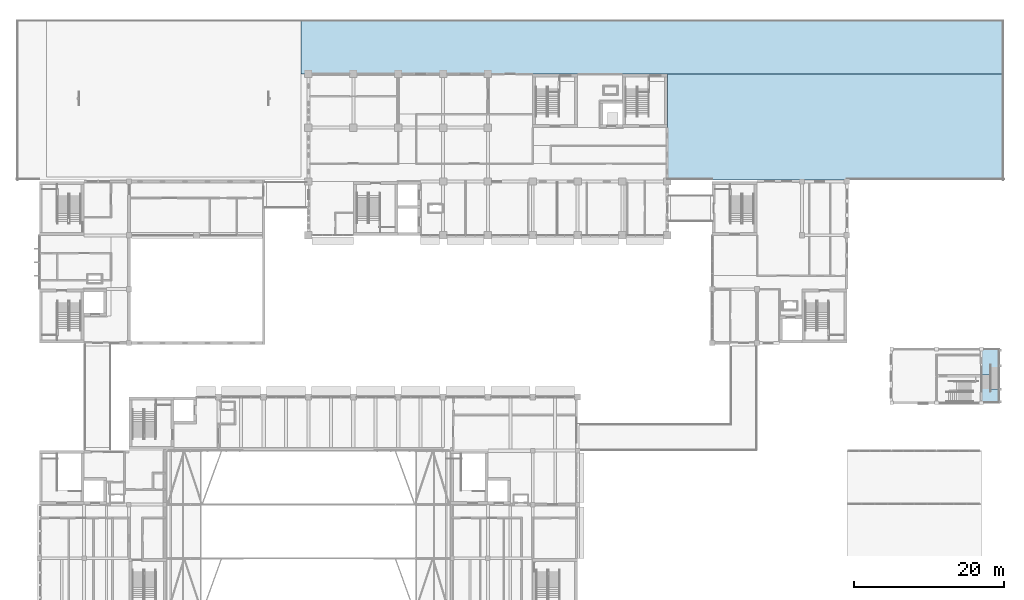
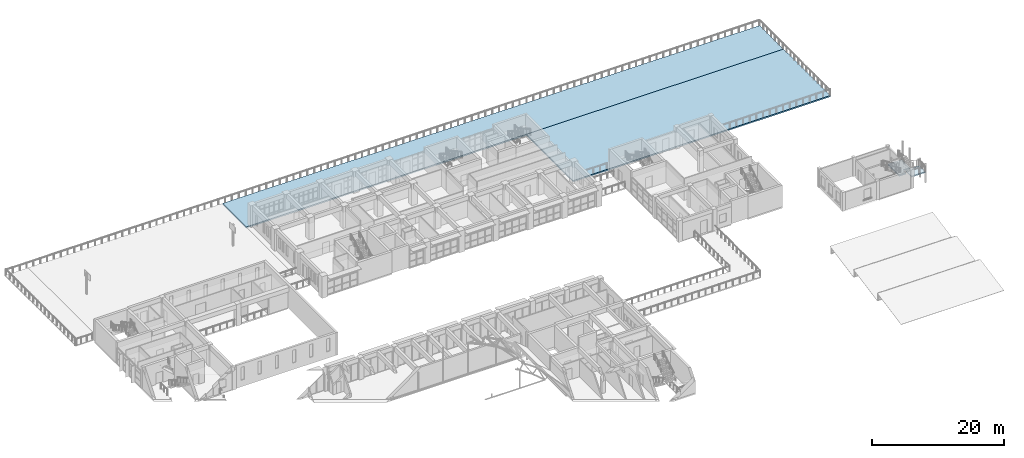
# One storey, part 67 of 101: 4 slabs, 1 element without a shape of its own.
"""IFC4 building model written with IfcOpenShell, lengths in metres."""

from ifc_helpers import new_model, si_unit, direction, frame, origin, place, context, subcontext, project, spatial, polyline, outline, extrude, material, layer, layer_set, type_object, element, aggregate, save


model = new_model("IFC4")

# Units and contexts
model_context = context("Model", 3, precision=1e-05, world=origin(), true_north=direction((0.0, 1.0)))
body_context = subcontext(model_context, "Body", "Model", "MODEL_VIEW")
ifc_project = project(units=[si_unit("LENGTHUNIT", "METRE"), si_unit("AREAUNIT", "SQUARE_METRE"), si_unit("VOLUMEUNIT", "CUBIC_METRE"), si_unit("PLANEANGLEUNIT", "RADIAN"), si_unit("MASSUNIT", "GRAM", prefix="KILO")], contexts=[model_context])

# Site, building, storey
site_placement = place(None, origin())
site = spatial("IfcSite", under=ifc_project, at=site_placement, CompositionType="ELEMENT")
building_placement = place(site_placement, origin())
building = spatial("IfcBuilding", under=site, at=building_placement, Name="Laocheng Heights Fire and Rescue Headquarters", CompositionType="ELEMENT")
storey_placement = place(building_placement, frame((0.0, 0.0, 8.39990234375)))
storey = spatial("IfcBuildingStorey", under=building, at=storey_placement, Name="L02", CompositionType="ELEMENT", Elevation=8.39990234375)

# Slabs
ifc_material_1 = material(Name="Concrete C35", Category="concrete")
ifc_layer_1 = layer(ifc_material_1, 0.25)
ifc_layer_set_1 = layer_set([ifc_layer_1], Name="Concrete C35")
slab_type_1 = type_object("IfcSlabType", Name="RC PAVING SLAB ON FILL 250 NORTH LANE PAVING", PredefinedType="BASESLAB", material=ifc_layer_set_1)
slab_1_placement = place(storey_placement, frame((0.0, 0.0, -0.25)))
element("IfcSlab", 1, at=slab_1_placement, inside=storey, type_object=slab_type_1, Name="Site slab SL10 North Lane Paving", PredefinedType="BASESLAB", context=body_context, shape_type="SweptSolid", body=[
    extrude(outline(polyline([(129.0, 79.199951171875), (35.0, 79.199951171875), (35.0, 72.0), (129.0, 72.0), (129.0, 79.199951171875)])), origin(), (0.0, 0.0, 1.0), 0.25),
])
ifc_material_2 = material(Name="Concrete C35", Category="concrete")
ifc_layer_2 = layer(ifc_material_2, 0.25)
ifc_layer_set_2 = layer_set([ifc_layer_2], Name="Concrete C35")
slab_type_2 = type_object("IfcSlabType", Name="RC PAVING SLAB ON FILL 250 UPPER YARD PAVING", PredefinedType="BASESLAB", material=ifc_layer_set_2)
slab_2_placement = place(storey_placement, frame((0.0, 0.0, -0.25)))
element("IfcSlab", 2, at=slab_2_placement, inside=storey, type_object=slab_type_2, Name="Site slab SL9 Upper Yard Paving", PredefinedType="BASESLAB", context=body_context, shape_type="SweptSolid", body=[
    extrude(outline(polyline([(129.0, 72.0), (84.0, 72.0), (84.0, 57.824951171875), (129.0, 57.824951171875), (129.0, 72.0)])), origin(), (0.0, 0.0, 1.0), 0.25),
])

# Stair, slabs
ifc_material_3 = material(Name="Concrete C40", Category="concrete")
stair_type = type_object("IfcStairType", Name="RC STAIR 1200 TWO FLIGHTS 20 RISERS OF 175 GOING 270", PredefinedType="HALF_TURN_STAIR", material=ifc_material_3)
stair_placement = place(storey_placement, origin())
stair = element("IfcStair", 3, at=stair_placement, inside=storey, type_object=stair_type, Name="Stair T2 (F4 to F5)", PredefinedType="HALF_TURN_STAIR")
ifc_material_4 = material(Name="Concrete C40", Category="concrete")
ifc_layer_3 = layer(ifc_material_4, 0.199951171875)
ifc_layer_set_3 = layer_set([ifc_layer_3], Name="Concrete C40")
slab_type_3 = type_object("IfcSlabType", Name="STAIR FLOOR LANDING 200", PredefinedType="LANDING", material=ifc_layer_set_3)
slab_3_placement = place(storey_placement, frame((0.0, 0.0, 1.900146484375)))
slab_3 = element("IfcSlab", 4, at=slab_3_placement, type_object=slab_type_3, Name="Stair T2 floor landing F4", PredefinedType="LANDING", context=body_context, shape_type="SweptSolid", body=[
    extrude(outline(polyline([(126.0, 31.717041015625), (127.199951171875, 31.717041015625), (127.199951171875, 32.7080078125), (128.39990234375, 32.7080078125), (128.39990234375, 32.800048828125), (128.39990234375, 35.199951171875), (126.0, 35.199951171875), (126.0, 32.800048828125), (126.0, 32.800048828125), (126.0, 31.717041015625)])), origin(), (0.0, 0.0, 1.0), 0.199951171875),
])
ifc_material_5 = material(Name="Concrete C40", Category="concrete")
ifc_layer_4 = layer(ifc_material_5, 0.201904296875)
ifc_layer_set_4 = layer_set([ifc_layer_4], Name="Concrete C40")
slab_type_4 = type_object("IfcSlabType", Name="STAIR HALF LANDING 202", PredefinedType="LANDING", material=ifc_layer_set_4)
slab_4_placement = place(storey_placement, frame((0.0, 0.0, 4.0)))
slab_4 = element("IfcSlab", 5, at=slab_4_placement, type_object=slab_type_4, Name="T2-F4 landing 1", PredefinedType="LANDING", context=body_context, shape_type="SweptSolid", body=[
    extrude(outline(polyline([(128.39990234375, 28.0), (128.39990234375, 29.8330078125), (127.199951171875, 29.8330078125), (127.199951171875, 29.921875), (126.0, 29.921875), (126.0, 28.0), (127.199951171875, 28.0), (128.39990234375, 28.0)])), origin(), (0.0, 0.0, 1.0), 0.2021484375),
])
aggregate(stair, [slab_4, slab_3])

save(model, "model.ifc")
